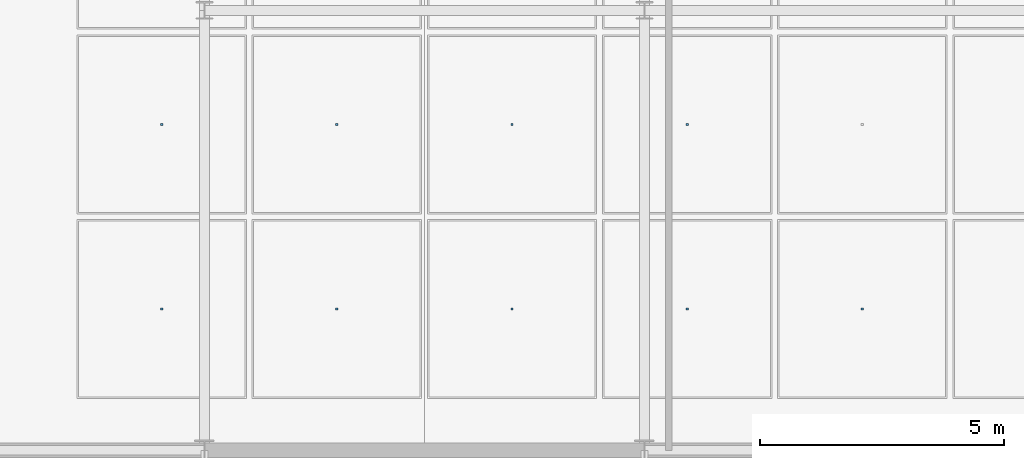
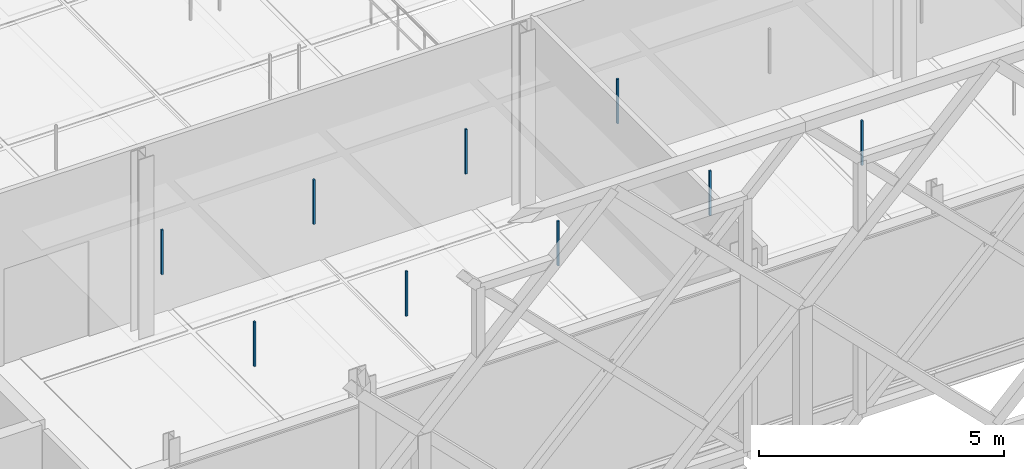
# One storey, part 98 of 140: 9 discrete accessories.
"""IFC4 building model written with IfcOpenShell, lengths in metres."""

from ifc_helpers import new_model, si_unit, direction, frame, origin, origin_2d, place, context, subcontext, project, spatial, rectangle, extrude, material, type_object, element, save


model = new_model("IFC4")

# Units and contexts
model_context = context("Model", 3, precision=1e-05, world=origin(), true_north=direction((0.0, 1.0)))
body_context = subcontext(model_context, "Body", "Model", "MODEL_VIEW")
ifc_project = project(units=[si_unit("LENGTHUNIT", "METRE"), si_unit("AREAUNIT", "SQUARE_METRE"), si_unit("VOLUMEUNIT", "CUBIC_METRE"), si_unit("PLANEANGLEUNIT", "RADIAN"), si_unit("MASSUNIT", "GRAM", prefix="KILO"), si_unit("THERMODYNAMICTEMPERATUREUNIT", "KELVIN"), si_unit("POWERUNIT", "WATT")], contexts=[model_context])

# Site, building, storey
site_placement = place(None, origin())
site = spatial("IfcSite", under=ifc_project, at=site_placement, CompositionType="ELEMENT")
building_placement = place(site_placement, origin())
building = spatial("IfcBuilding", under=site, at=building_placement, Name="Tallowbark Science Centre", CompositionType="ELEMENT")
storey_placement = place(building_placement, frame((0.0, 0.0, 9.89990234375)))
storey = spatial("IfcBuildingStorey", under=building, at=storey_placement, Name="L02", CompositionType="ELEMENT", Elevation=9.89990234375)

# Discrete accessories
ifc_material = material(Name="Galvanised Steel Grade C350L0 (350 MPa)", Category="steel")
discrete_accessory_type = type_object("IfcDiscreteAccessoryType", Name="ACC-CLG-HNG", PredefinedType="BRACKET", material=ifc_material)
for number, where, z_axis, x_axis, name in (
    (1, (75.625, 7.388916015625, 3.20947265625), (0.0, 0.0, 1.0), (1.0, 0.0, 0.0), "Ceiling Hanger Bracket L02-792"),
    (2, (75.625, 11.166748046875, 3.20947265625), (0.0, 0.0, 1.0), (1.0, 0.0, 0.0), "Ceiling Hanger Bracket L02-793"),
    (3, (79.208251953125, 7.388916015625, 3.20947265625), (0.0, 0.0, 1.0), (1.0, 0.0, 0.0), "Ceiling Hanger Bracket L02-801"),
    (4, (79.208251953125, 11.166748046875, 3.20947265625), (0.0, 0.0, 1.0), (1.0, 0.0, 0.0), "Ceiling Hanger Bracket L02-802"),
    (5, (82.791748046875, 7.388916015625, 3.20947265625), (0.0, 0.0, 1.0), (1.0, 0.0, 0.0), "Ceiling Hanger Bracket L02-810"),
    (6, (82.791748046875, 11.166748046875, 3.20947265625), (0.0, 0.0, 1.0), (1.0, 0.0, 0.0), "Ceiling Hanger Bracket L02-811"),
    (7, (86.375, 7.388916015625, 3.20947265625), (0.0, 0.0, 1.0), (1.0, 0.0, 0.0), "Ceiling Hanger Bracket L02-819"),
    (8, (86.375, 11.166748046875, 3.20947265625), (0.0, 0.0, 1.0), (1.0, 0.0, 0.0), "Ceiling Hanger Bracket L02-820"),
    (9, (89.958251953125, 7.388916015625, 3.20947265625), (0.0, 0.0, 1.0), (1.0, 0.0, 0.0), "Ceiling Hanger Bracket L02-828"),
):
    element("IfcDiscreteAccessory", number, at=place(storey_placement, frame(where, z_axis=z_axis, x_axis=x_axis)), inside=storey, type_object=discrete_accessory_type, Name=name, PredefinedType="BRACKET", context=body_context, shape_type="SweptSolid", body=[
        extrude(rectangle(XDim=0.044921875, YDim=0.044921875, at=origin_2d()), origin(), (0.0, 0.0, 1.0), 1.113525390625),
    ])

save(model, "model.ifc")
